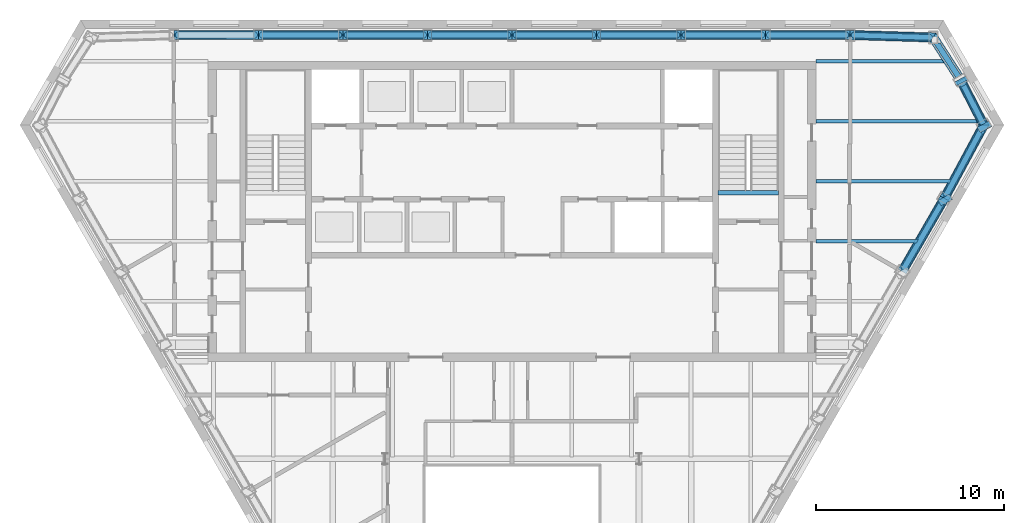
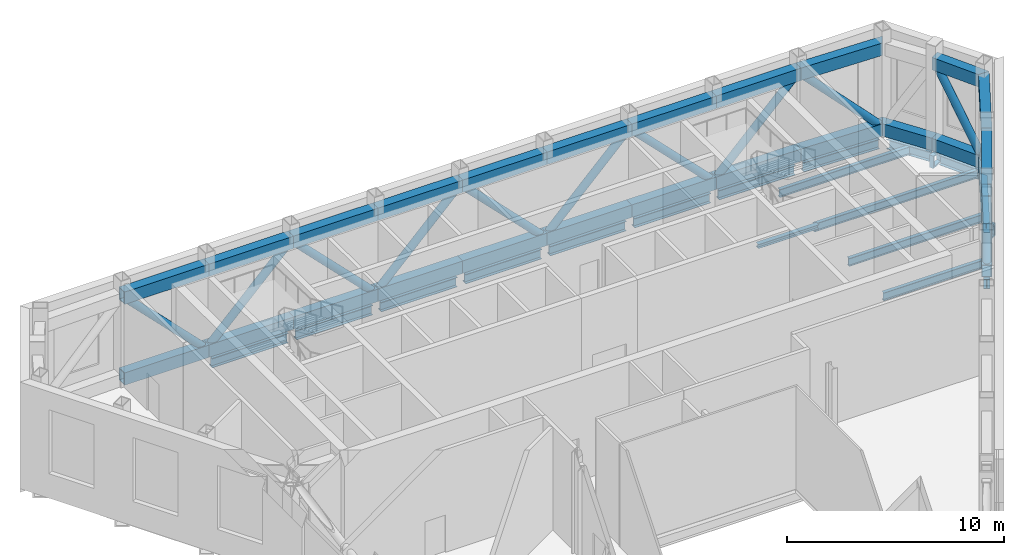
# One storey, part 5 of 14: 37 members, 20 beams.
"""IFC4 building model written with IfcOpenShell, lengths in metres."""

from ifc_helpers import new_model, si_unit, direction, frame, origin, origin_2d, place, context, subcontext, project, spatial, hollow_rectangle, hollow_circle, i_section, extrude, clip, halfspace, material, material_profile, profile_set, type_object, element, save


model = new_model("IFC4")

# Units and contexts
model_context = context("Model", 3, precision=1e-05, world=origin(), true_north=direction((0.0, 1.0)))
body_context = subcontext(model_context, "Body", "Model", "MODEL_VIEW")
ifc_project = project(units=[si_unit("LENGTHUNIT", "METRE"), si_unit("AREAUNIT", "SQUARE_METRE"), si_unit("VOLUMEUNIT", "CUBIC_METRE"), si_unit("PLANEANGLEUNIT", "RADIAN"), si_unit("MASSUNIT", "GRAM", prefix="KILO")], contexts=[model_context])

# Site, building, storey
site_placement = place(None, origin())
site = spatial("IfcSite", under=ifc_project, at=site_placement, CompositionType="ELEMENT")
building_placement = place(site_placement, origin())
building = spatial("IfcBuilding", under=site, at=building_placement, Name="Njiva Tower", CompositionType="ELEMENT")
storey_placement = place(building_placement, frame((0.0, 0.0, 239.4)))
storey = spatial("IfcBuildingStorey", under=building, at=storey_placement, Name="L54", CompositionType="ELEMENT", Elevation=239.4)

# Beams
ifc_material_1 = material(Name="Steel S355 J2", Category="steel")
ifc_material_profile_1 = material_profile(ifc_material_1, hollow_rectangle(XDim=0.7, YDim=0.7, WallThickness=0.08, at=origin_2d()), Name="BOX 700x700x80")
ifc_profile_set_1 = profile_set([ifc_material_profile_1], Name="Steel S355 J2")
beam_type_1 = type_object("IfcBeamType", Name="B19 Column jog beam BOX 700x700x80", PredefinedType="BEAM", material=ifc_profile_set_1)
beam_1_placement = place(storey_placement, frame((23.187, 10.46, -0.55), z_axis=(-0.487203149524, 0.873288664242, 0.0), x_axis=(-0.873288664242, -0.487203149524, 0.0)))
element("IfcBeam", 1, at=beam_1_placement, inside=storey, type_object=beam_type_1, Name="Column jog beam T4-B043", PredefinedType="BEAM", context=body_context, shape_type="SweptSolid", body=[
    extrude(hollow_rectangle(XDim=0.7, YDim=0.7, WallThickness=0.08, at=origin_2d()), origin(), (0.0, 0.0, 1.0), 0.3264),
])
beam_2_placement = place(storey_placement, frame((25.287, 14.362, -0.55), z_axis=(-0.480983596396, 0.876729593431, 0.0), x_axis=(-0.876729593431, -0.480983596396, 0.0)))
element("IfcBeam", 2, at=beam_2_placement, inside=storey, type_object=beam_type_1, Name="Column jog beam T4-B045", PredefinedType="BEAM", context=body_context, shape_type="SweptSolid", body=[
    extrude(hollow_rectangle(XDim=0.7, YDim=0.7, WallThickness=0.08, at=origin_2d()), origin(), (0.0, 0.0, 1.0), 0.3285),
])
beam_3_placement = place(storey_placement, frame((24.0, 16.854, -0.55), z_axis=(-0.463334503305, 0.886183467487, 0.0), x_axis=(-0.886183467487, -0.463334503305, 0.0)))
element("IfcBeam", 3, at=beam_3_placement, inside=storey, type_object=beam_type_1, Name="Column jog beam T4-B044", PredefinedType="BEAM", context=body_context, shape_type="SweptSolid", body=[
    extrude(hollow_rectangle(XDim=0.7, YDim=0.7, WallThickness=0.08, at=origin_2d()), origin(), (0.0, 0.0, 1.0), 0.2223),
])
ifc_material_profile_2 = material_profile(ifc_material_1, i_section(OverallWidth=0.19, OverallDepth=0.45, WebThickness=0.0094, FlangeThickness=0.0146, at=origin_2d()), Name="IPE 450")
ifc_profile_set_2 = profile_set([ifc_material_profile_2], Name="Steel S355 J2")
beam_type_2 = type_object("IfcBeamType", Name="B37 Floor beam to the core IPE 450", PredefinedType="BEAM", material=ifc_profile_set_2)
beam_4_placement = place(storey_placement, frame((16.2, 8.4, -0.425), z_axis=(1.0, 0.0, 0.0), x_axis=(0.0, 1.0, 0.0)))
element("IfcBeam", 4, at=beam_4_placement, inside=storey, type_object=beam_type_2, Name="Floor beam to the core T4-B007", PredefinedType="BEAM", context=body_context, shape_type="Clipping", body=[
    clip(extrude(i_section(OverallWidth=0.19, OverallDepth=0.45, WebThickness=0.0094, FlangeThickness=0.0146, at=origin_2d()), origin(), (0.0, 0.0, 1.0), 5.493), halfspace(frame((-0.025, 0.0, 5.4036), z_axis=(-0.499998009787, 0.0, 0.866026552831), x_axis=(0.0, 1.0, 0.0)), False)),
])
beam_5_placement = place(storey_placement, frame((16.2, 11.6, -0.425), z_axis=(1.0, 0.0, 0.0), x_axis=(0.0, 1.0, 0.0)))
element("IfcBeam", 5, at=beam_5_placement, inside=storey, type_object=beam_type_2, Name="Floor beam to the core T4-B008", PredefinedType="BEAM", context=body_context, shape_type="Clipping", body=[
    clip(extrude(i_section(OverallWidth=0.19, OverallDepth=0.45, WebThickness=0.0094, FlangeThickness=0.0146, at=origin_2d()), origin(), (0.0, 0.0, 1.0), 7.303), halfspace(frame((-0.0237, 0.0, 7.219), z_axis=(-0.473769423091, 0.0, 0.880648927634), x_axis=(0.0, 1.0, 0.0)), False)),
])
beam_6_placement = place(storey_placement, frame((16.2, 14.8, -0.425), z_axis=(1.0, 0.0, 0.0), x_axis=(0.0, 1.0, 0.0)))
element("IfcBeam", 6, at=beam_6_placement, inside=storey, type_object=beam_type_2, Name="Floor beam to the core T4-B009", PredefinedType="BEAM", context=body_context, shape_type="Clipping", body=[
    clip(extrude(i_section(OverallWidth=0.19, OverallDepth=0.45, WebThickness=0.0094, FlangeThickness=0.0146, at=origin_2d()), origin(), (0.0, 0.0, 1.0), 8.81), halfspace(frame((0.0228, 0.0, 8.7291), z_axis=(0.456688334689, 0.0, 0.889626755982), x_axis=(0.0, 1.0, 0.0)), False)),
])
beam_7_placement = place(storey_placement, frame((16.2, 18.0, -0.425), z_axis=(1.0, 0.0, 0.0), x_axis=(0.0, 1.0, 0.0)))
element("IfcBeam", 7, at=beam_7_placement, inside=storey, type_object=beam_type_2, Name="Floor beam to the core T4-B010", PredefinedType="BEAM", context=body_context, shape_type="Clipping", body=[
    clip(extrude(i_section(OverallWidth=0.19, OverallDepth=0.45, WebThickness=0.0094, FlangeThickness=0.0146, at=origin_2d()), origin(), (0.0, 0.0, 1.0), 7.041), halfspace(frame((0.0271, 0.0, 6.9421), z_axis=(0.542090197727, 0.0, 0.840320306507), x_axis=(0.0, 1.0, 0.0)), False)),
])
ifc_material_profile_3 = material_profile(ifc_material_1, i_section(OverallWidth=0.3, OverallDepth=0.54, WebThickness=0.0125, FlangeThickness=0.024, at=origin_2d()), Name="HEA 550")
ifc_profile_set_3 = profile_set([ifc_material_profile_3], Name="Steel S355 J2")
beam_type_3 = type_object("IfcBeamType", Name="B39 Short-span spandrel beam HEA 550", PredefinedType="SPANDREL", material=ifc_profile_set_3)
beam_8_placement = place(storey_placement, frame((22.227, 19.274, -0.47), z_axis=(-0.999551509544, 0.029946281379, 0.0), x_axis=(-0.029946281379, -0.999551509544, 0.0)))
element("IfcBeam", 8, at=beam_8_placement, inside=storey, type_object=beam_type_3, Name="Short-span spandrel beam T4-B100", PredefinedType="SPANDREL", context=body_context, shape_type="SweptSolid", body=[
    extrude(i_section(OverallWidth=0.3, OverallDepth=0.54, WebThickness=0.0125, FlangeThickness=0.024, at=origin_2d()), origin(), (0.0, 0.0, 1.0), 3.9738),
])
beam_9_placement = place(storey_placement, frame((17.801, 19.4, -0.47), z_axis=(-1.0, 0.0, 0.0), x_axis=(0.0, -1.0, 0.0)))
element("IfcBeam", 9, at=beam_9_placement, inside=storey, type_object=beam_type_3, Name="Short-span spandrel beam T4-B097", PredefinedType="SPANDREL", context=body_context, shape_type="SweptSolid", body=[
    extrude(i_section(OverallWidth=0.3, OverallDepth=0.54, WebThickness=0.0125, FlangeThickness=0.024, at=origin_2d()), origin(), (0.0, 0.0, 1.0), 4.056),
])
beam_10_placement = place(storey_placement, frame((13.295, 19.4, -0.47), z_axis=(-1.0, 0.0, 0.0), x_axis=(0.0, -1.0, 0.0)))
element("IfcBeam", 10, at=beam_10_placement, inside=storey, type_object=beam_type_3, Name="Short-span spandrel beam T4-B094", PredefinedType="SPANDREL", context=body_context, shape_type="SweptSolid", body=[
    extrude(i_section(OverallWidth=0.3, OverallDepth=0.54, WebThickness=0.0125, FlangeThickness=0.024, at=origin_2d()), origin(), (0.0, 0.0, 1.0), 4.057),
])
beam_11_placement = place(storey_placement, frame((8.788, 19.4, -0.47), z_axis=(-1.0, 0.0, 0.0), x_axis=(0.0, -1.0, 0.0)))
element("IfcBeam", 11, at=beam_11_placement, inside=storey, type_object=beam_type_3, Name="Short-span spandrel beam T4-B091", PredefinedType="SPANDREL", context=body_context, shape_type="SweptSolid", body=[
    extrude(i_section(OverallWidth=0.3, OverallDepth=0.54, WebThickness=0.0125, FlangeThickness=0.024, at=origin_2d()), origin(), (0.0, 0.0, 1.0), 4.056),
])
for number, where, z_axis, x_axis, name in (
    (12, (4.282, 19.4, -0.47), (-1.0, 0.0, 0.0), (0.0, -1.0, 0.0), "Short-span spandrel beam T4-B088"),
    (13, (-0.225, 19.4, -0.47), (-1.0, 0.0, 0.0), (0.0, -1.0, 0.0), "Short-span spandrel beam T4-B086"),
):
    element("IfcBeam", number, at=place(storey_placement, frame(where, z_axis=z_axis, x_axis=x_axis)), inside=storey, type_object=beam_type_3, Name=name, PredefinedType="SPANDREL", context=body_context, shape_type="SweptSolid", body=[
        extrude(i_section(OverallWidth=0.3, OverallDepth=0.54, WebThickness=0.0125, FlangeThickness=0.024, at=origin_2d()), origin(), (0.0, 0.0, 1.0), 4.057),
    ])
beam_12_placement = place(storey_placement, frame((-4.732, 19.4, -0.47), z_axis=(-1.0, 0.0, 0.0), x_axis=(0.0, -1.0, 0.0)))
element("IfcBeam", 14, at=beam_12_placement, inside=storey, type_object=beam_type_3, Name="Short-span spandrel beam T4-B083", PredefinedType="SPANDREL", context=body_context, shape_type="SweptSolid", body=[
    extrude(i_section(OverallWidth=0.3, OverallDepth=0.54, WebThickness=0.0125, FlangeThickness=0.024, at=origin_2d()), origin(), (0.0, 0.0, 1.0), 4.056),
])
beam_13_placement = place(storey_placement, frame((-9.238, 19.4, -0.47), z_axis=(-1.0, 0.0, 0.0), x_axis=(0.0, -1.0, 0.0)))
element("IfcBeam", 15, at=beam_13_placement, inside=storey, type_object=beam_type_3, Name="Short-span spandrel beam T4-B080", PredefinedType="SPANDREL", context=body_context, shape_type="SweptSolid", body=[
    extrude(i_section(OverallWidth=0.3, OverallDepth=0.54, WebThickness=0.0125, FlangeThickness=0.024, at=origin_2d()), origin(), (0.0, 0.0, 1.0), 4.057),
])
beam_14_placement = place(storey_placement, frame((20.863, 6.893, -0.47), z_axis=(0.500142068684, 0.865943364853, 0.0), x_axis=(-0.865943364853, 0.500142068684, 0.0)))
element("IfcBeam", 16, at=beam_14_placement, inside=storey, type_object=beam_type_3, Name="Short-span spandrel beam T4-B102", PredefinedType="SPANDREL", context=body_context, shape_type="SweptSolid", body=[
    extrude(i_section(OverallWidth=0.3, OverallDepth=0.54, WebThickness=0.0125, FlangeThickness=0.024, at=origin_2d()), origin(), (0.0, 0.0, 1.0), 4.0568),
])
beam_15_placement = place(storey_placement, frame((23.115, 10.801, -0.47), z_axis=(0.473828255031, 0.880617274833, 0.0), x_axis=(-0.880617274833, 0.473828255031, 0.0)))
element("IfcBeam", 17, at=beam_15_placement, inside=storey, type_object=beam_type_3, Name="Short-span spandrel beam T4-B104", PredefinedType="SPANDREL", context=body_context, shape_type="Clipping", body=[
    clip(extrude(i_section(OverallWidth=0.3, OverallDepth=0.54, WebThickness=0.0125, FlangeThickness=0.024, at=origin_2d()), origin(), (0.0, 0.0, 1.0), 4.0659), halfspace(frame((-0.0264, 0.0, 3.9369), z_axis=(-0.525724758391, 0.0, 0.850654735139), x_axis=(0.0, 1.0, 0.0)), False)),
])
beam_16_placement = place(storey_placement, frame((25.147, 14.618, -0.47), z_axis=(-0.456585435452, 0.889679571606, 0.0), x_axis=(-0.889679571606, -0.456585435452, 0.0)))
element("IfcBeam", 18, at=beam_16_placement, inside=storey, type_object=beam_type_3, Name="Short-span spandrel beam T4-B105", PredefinedType="SPANDREL", context=body_context, shape_type="SweptSolid", body=[
    extrude(i_section(OverallWidth=0.3, OverallDepth=0.54, WebThickness=0.0125, FlangeThickness=0.024, at=origin_2d()), origin(), (0.0, 0.0, 1.0), 2.3413),
])
beam_17_placement = place(storey_placement, frame((23.855, 17.107, -0.47), z_axis=(-0.542126869822, 0.840296648224, 0.0), x_axis=(-0.840296648224, -0.542126869822, 0.0)))
element("IfcBeam", 19, at=beam_17_placement, inside=storey, type_object=beam_type_3, Name="Short-span spandrel beam T4-B103", PredefinedType="SPANDREL", context=body_context, shape_type="Clipping", body=[
    clip(extrude(i_section(OverallWidth=0.3, OverallDepth=0.54, WebThickness=0.0125, FlangeThickness=0.024, at=origin_2d()), origin(), (0.0, 0.0, 1.0), 2.3305), halfspace(frame((-0.0269, 0.0, 2.1962), z_axis=(-0.542126869822, 0.0, 0.840296648224), x_axis=(0.0, 1.0, 0.0)), False)),
])
ifc_material_profile_4 = material_profile(ifc_material_1, i_section(OverallWidth=0.24, OverallDepth=0.23, WebThickness=0.0075, FlangeThickness=0.012, at=origin_2d()), Name="HEA240")
ifc_profile_set_4 = profile_set([ifc_material_profile_4], Name="Steel S355 J2")
beam_type_4 = type_object("IfcBeamType", Name="FL8 Landing beam HEA 240", PredefinedType="BEAM", material=ifc_profile_set_4)
beam_18_placement = place(storey_placement, frame((10.994, 10.98, 2.685), z_axis=(1.0, 0.0, 0.0), x_axis=(0.0, 1.0, 0.0)))
element("IfcBeam", 20, at=beam_18_placement, inside=storey, type_object=beam_type_4, Name="Landing beam", PredefinedType="BEAM", context=body_context, shape_type="SweptSolid", body=[
    extrude(i_section(OverallWidth=0.24, OverallDepth=0.23, WebThickness=0.0075, FlangeThickness=0.012, at=origin_2d()), origin(), (0.0, 0.0, 1.0), 3.212),
])

# Members
ifc_material_profile_5 = material_profile(ifc_material_1, hollow_rectangle(XDim=0.5, YDim=0.7, WallThickness=0.04, at=origin_2d()), Name="BOX 700x500x40")
ifc_profile_set_5 = profile_set([ifc_material_profile_5], Name="Steel S355 J2")
member_type_1 = type_object("IfcMemberType", Name="TC2 Belt truss chord BOX 700x500x40", PredefinedType="CHORD", material=ifc_profile_set_5)
member_1_placement = place(storey_placement, frame((22.6219, 19.2622, 0.35), z_axis=(-0.999549830104, 0.03000228558, 0.0), x_axis=(-0.03000228558, -0.999549830104, 0.0)))
element("IfcMember", 21, at=member_1_placement, inside=storey, type_object=member_type_1, Name="Belt truss chord T4-TR001", PredefinedType="CHORD", context=body_context, shape_type="Clipping", body=[
    clip(clip(extrude(hollow_rectangle(XDim=0.5, YDim=0.7, WallThickness=0.04, at=origin_2d()), origin(), (0.0, 0.0, 1.0), 4.628), halfspace(frame((0.0, -239.75, 0.161), z_axis=(0.46523279554, 0.0, -0.885188367498), x_axis=(0.0, -1.0, 0.0)), False)), halfspace(frame((0.0, -239.75, 4.594), z_axis=(0.015005700272, 0.0, 0.999887408141), x_axis=(0.0, 1.0, 0.0)), False)),
])
member_2_placement = place(storey_placement, frame((22.6219, 19.2622, 4.91), z_axis=(-0.999549830104, 0.03000228558, 0.0), x_axis=(-0.03000228558, -0.999549830104, 0.0)))
element("IfcMember", 22, at=member_2_placement, inside=storey, type_object=member_type_1, Name="Belt truss chord T4-TR002", PredefinedType="CHORD", context=body_context, shape_type="Clipping", body=[
    clip(clip(extrude(hollow_rectangle(XDim=0.5, YDim=0.7, WallThickness=0.04, at=origin_2d()), origin(), (0.0, 0.0, 1.0), 4.628), halfspace(frame((0.0, -244.31, 0.161), z_axis=(0.46523279554, 0.0, -0.885188367498), x_axis=(0.0, -1.0, 0.0)), False)), halfspace(frame((0.0, -244.31, 4.594), z_axis=(0.015005700272, 0.0, 0.999887408141), x_axis=(0.0, 1.0, 0.0)), False)),
])
member_3_placement = place(storey_placement, frame((18.064, 19.4, 0.35), z_axis=(-1.0, 0.0, 0.0), x_axis=(0.0, -1.0, 0.0)))
element("IfcMember", 23, at=member_3_placement, inside=storey, type_object=member_type_1, Name="Belt truss chord T4-TR004", PredefinedType="CHORD", context=body_context, shape_type="Clipping", body=[
    clip(extrude(hollow_rectangle(XDim=0.5, YDim=0.7, WallThickness=0.04, at=origin_2d()), origin(), (0.0, 0.0, 1.0), 4.541), halfspace(frame((0.0, -239.75, 0.034), z_axis=(0.014999962409, 0.0, -0.999887494235), x_axis=(0.0, -1.0, 0.0)), False)),
])
member_4_placement = place(storey_placement, frame((18.064, 19.4, 4.91), z_axis=(-1.0, 0.0, 0.0), x_axis=(0.0, -1.0, 0.0)))
element("IfcMember", 24, at=member_4_placement, inside=storey, type_object=member_type_1, Name="Belt truss chord T4-TR005", PredefinedType="CHORD", context=body_context, shape_type="Clipping", body=[
    clip(extrude(hollow_rectangle(XDim=0.5, YDim=0.7, WallThickness=0.04, at=origin_2d()), origin(), (0.0, 0.0, 1.0), 4.541), halfspace(frame((0.0, -244.31, 0.034), z_axis=(0.014999962409, 0.0, -0.999887494235), x_axis=(0.0, -1.0, 0.0)), False)),
])
for number, where, z_axis, x_axis, name in (
    (25, (13.523, 19.4, 0.35), (-1.0, 0.0, 0.0), (0.0, -1.0, 0.0), "Belt truss chord T4-TR007"),
    (26, (13.523, 19.4, 4.91), (-1.0, 0.0, 0.0), (0.0, -1.0, 0.0), "Belt truss chord T4-TR008"),
):
    element("IfcMember", number, at=place(storey_placement, frame(where, z_axis=z_axis, x_axis=x_axis)), inside=storey, type_object=member_type_1, Name=name, PredefinedType="CHORD", context=body_context, shape_type="SweptSolid", body=[
        extrude(hollow_rectangle(XDim=0.5, YDim=0.7, WallThickness=0.04, at=origin_2d()), origin(), (0.0, 0.0, 1.0), 4.508),
    ])
for number, where, z_axis, x_axis, name in (
    (27, (9.015, 19.4, 0.35), (-1.0, 0.0, 0.0), (0.0, -1.0, 0.0), "Belt truss chord T4-TR010"),
    (28, (9.015, 19.4, 4.91), (-1.0, 0.0, 0.0), (0.0, -1.0, 0.0), "Belt truss chord T4-TR011"),
):
    element("IfcMember", number, at=place(storey_placement, frame(where, z_axis=z_axis, x_axis=x_axis)), inside=storey, type_object=member_type_1, Name=name, PredefinedType="CHORD", context=body_context, shape_type="SweptSolid", body=[
        extrude(hollow_rectangle(XDim=0.5, YDim=0.7, WallThickness=0.04, at=origin_2d()), origin(), (0.0, 0.0, 1.0), 4.507),
    ])
for number, where, z_axis, x_axis, name in (
    (29, (4.508, 19.4, 0.35), (-1.0, 0.0, 0.0), (0.0, -1.0, 0.0), "Belt truss chord T4-TR013"),
    (30, (4.508, 19.4, 4.91), (-1.0, 0.0, 0.0), (0.0, -1.0, 0.0), "Belt truss chord T4-TR014"),
    (31, (0.0, 19.4, 0.35), (-1.0, 0.0, 0.0), (0.0, -1.0, 0.0), "Belt truss chord T4-TR016"),
    (32, (0.0, 19.4, 4.91), (-1.0, 0.0, 0.0), (0.0, -1.0, 0.0), "Belt truss chord T4-TR017"),
):
    element("IfcMember", number, at=place(storey_placement, frame(where, z_axis=z_axis, x_axis=x_axis)), inside=storey, type_object=member_type_1, Name=name, PredefinedType="CHORD", context=body_context, shape_type="SweptSolid", body=[
        extrude(hollow_rectangle(XDim=0.5, YDim=0.7, WallThickness=0.04, at=origin_2d()), origin(), (0.0, 0.0, 1.0), 4.508),
    ])
for number, where, z_axis, x_axis, name in (
    (33, (-4.508, 19.4, 0.35), (-1.0, 0.0, 0.0), (0.0, -1.0, 0.0), "Belt truss chord T4-TR019"),
    (34, (-4.508, 19.4, 4.91), (-1.0, 0.0, 0.0), (0.0, -1.0, 0.0), "Belt truss chord T4-TR020"),
):
    element("IfcMember", number, at=place(storey_placement, frame(where, z_axis=z_axis, x_axis=x_axis)), inside=storey, type_object=member_type_1, Name=name, PredefinedType="CHORD", context=body_context, shape_type="SweptSolid", body=[
        extrude(hollow_rectangle(XDim=0.5, YDim=0.7, WallThickness=0.04, at=origin_2d()), origin(), (0.0, 0.0, 1.0), 4.507),
    ])
for number, where, z_axis, x_axis, name in (
    (35, (-9.015, 19.4, 0.35), (-1.0, 0.0, 0.0), (0.0, -1.0, 0.0), "Belt truss chord T4-TR022"),
    (36, (-9.015, 19.4, 4.91), (-1.0, 0.0, 0.0), (0.0, -1.0, 0.0), "Belt truss chord T4-TR023"),
):
    element("IfcMember", number, at=place(storey_placement, frame(where, z_axis=z_axis, x_axis=x_axis)), inside=storey, type_object=member_type_1, Name=name, PredefinedType="CHORD", context=body_context, shape_type="SweptSolid", body=[
        extrude(hollow_rectangle(XDim=0.5, YDim=0.7, WallThickness=0.04, at=origin_2d()), origin(), (0.0, 0.0, 1.0), 4.508),
    ])
member_5_placement = place(storey_placement, frame((-13.523, 19.4, 0.35), z_axis=(-1.0, 0.0, 0.0), x_axis=(0.0, -1.0, 0.0)))
element("IfcMember", 37, at=member_5_placement, inside=storey, type_object=member_type_1, Name="Belt truss chord T4-TR025", PredefinedType="CHORD", context=body_context, shape_type="Clipping", body=[
    clip(extrude(hollow_rectangle(XDim=0.5, YDim=0.7, WallThickness=0.04, at=origin_2d()), origin(), (0.0, 0.0, 1.0), 4.541), halfspace(frame((0.0, -239.75, 4.507), z_axis=(0.014999962409, 0.0, 0.999887494235), x_axis=(0.0, 1.0, 0.0)), False)),
])
member_6_placement = place(storey_placement, frame((-13.523, 19.4, 4.91), z_axis=(-1.0, 0.0, 0.0), x_axis=(0.0, -1.0, 0.0)))
element("IfcMember", 38, at=member_6_placement, inside=storey, type_object=member_type_1, Name="Belt truss chord T4-TR026", PredefinedType="CHORD", context=body_context, shape_type="Clipping", body=[
    clip(extrude(hollow_rectangle(XDim=0.5, YDim=0.7, WallThickness=0.04, at=origin_2d()), origin(), (0.0, 0.0, 1.0), 4.541), halfspace(frame((0.0, -244.31, 4.507), z_axis=(0.014999962409, 0.0, 0.999887494235), x_axis=(0.0, 1.0, 0.0)), False)),
])
member_7_placement = place(storey_placement, frame((20.804, 6.789, 0.35), z_axis=(0.499837685251, 0.86611909597, 0.0), x_axis=(-0.86611909597, 0.499837685251, 0.0)))
element("IfcMember", 39, at=member_7_placement, inside=storey, type_object=member_type_1, Name="Belt truss chord T4-TR097", PredefinedType="CHORD", context=body_context, shape_type="Clipping", body=[
    clip(extrude(hollow_rectangle(XDim=0.5, YDim=0.7, WallThickness=0.04, at=origin_2d()), origin(), (0.0, 0.0, 1.0), 4.5415), halfspace(frame((0.0, -239.75, 4.5075), z_axis=(0.014852471498, 0.0, 0.999889695962), x_axis=(0.0, 1.0, 0.0)), False)),
])
member_8_placement = place(storey_placement, frame((20.804, 6.789, 4.91), z_axis=(0.499837685251, 0.86611909597, 0.0), x_axis=(-0.86611909597, 0.499837685251, 0.0)))
element("IfcMember", 40, at=member_8_placement, inside=storey, type_object=member_type_1, Name="Belt truss chord T4-TR098", PredefinedType="CHORD", context=body_context, shape_type="Clipping", body=[
    clip(extrude(hollow_rectangle(XDim=0.5, YDim=0.7, WallThickness=0.04, at=origin_2d()), origin(), (0.0, 0.0, 1.0), 4.5415), halfspace(frame((0.0, -244.31, 4.5075), z_axis=(0.014852471498, 0.0, 0.999889695962), x_axis=(0.0, 1.0, 0.0)), False)),
])
member_9_placement = place(storey_placement, frame((23.0409, 10.6631, 0.35), z_axis=(0.473898049697, 0.880579717285, 0.0), x_axis=(-0.880579717285, 0.473898049697, 0.0)))
element("IfcMember", 41, at=member_9_placement, inside=storey, type_object=member_type_1, Name="Belt truss chord T4-TR100", PredefinedType="CHORD", context=body_context, shape_type="Clipping", body=[
    clip(clip(extrude(hollow_rectangle(XDim=0.5, YDim=0.7, WallThickness=0.04, at=origin_2d()), origin(), (0.0, 0.0, 1.0), 4.6284), halfspace(frame((0.0, -239.75, 0.034), z_axis=(0.014845579979, 0.0, -0.999889798305), x_axis=(0.0, -1.0, 0.0)), False)), halfspace(frame((0.0, -239.75, 4.4674), z_axis=(0.465378360263, 0.0, 0.885111847056), x_axis=(0.0, 1.0, 0.0)), False)),
])
member_10_placement = place(storey_placement, frame((23.0409, 10.6631, 4.91), z_axis=(0.473898049697, 0.880579717285, 0.0), x_axis=(-0.880579717285, 0.473898049697, 0.0)))
element("IfcMember", 42, at=member_10_placement, inside=storey, type_object=member_type_1, Name="Belt truss chord T4-TR101", PredefinedType="CHORD", context=body_context, shape_type="Clipping", body=[
    clip(clip(extrude(hollow_rectangle(XDim=0.5, YDim=0.7, WallThickness=0.04, at=origin_2d()), origin(), (0.0, 0.0, 1.0), 4.6284), halfspace(frame((0.0, -244.31, 0.034), z_axis=(0.014845579979, 0.0, -0.999889798305), x_axis=(0.0, -1.0, 0.0)), False)), halfspace(frame((0.0, -244.31, 4.4674), z_axis=(0.465378360263, 0.0, 0.885111847056), x_axis=(0.0, 1.0, 0.0)), False)),
])
member_11_placement = place(storey_placement, frame((25.2315, 14.4538, 0.35), z_axis=(-0.45682053269, 0.889558879958, 0.0), x_axis=(-0.889558879958, -0.45682053269, 0.0)))
element("IfcMember", 43, at=member_11_placement, inside=storey, type_object=member_type_1, Name="Belt truss chord T4-TR103", PredefinedType="CHORD", context=body_context, shape_type="Clipping", body=[
    clip(clip(extrude(hollow_rectangle(XDim=0.5, YDim=0.7, WallThickness=0.04, at=origin_2d()), origin(), (0.0, 0.0, 1.0), 2.9021), halfspace(frame((0.0, -239.75, 0.161), z_axis=(0.465383534614, 0.0, -0.885109126442), x_axis=(0.0, -1.0, 0.0)), False)), halfspace(frame((0.0, -239.75, 2.8601), z_axis=(0.049275419369, 0.0, 0.998785228688), x_axis=(0.0, 1.0, 0.0)), False)),
])
member_12_placement = place(storey_placement, frame((25.2315, 14.4538, 4.91), z_axis=(-0.45682053269, 0.889558879958, 0.0), x_axis=(-0.889558879958, -0.45682053269, 0.0)))
element("IfcMember", 44, at=member_12_placement, inside=storey, type_object=member_type_1, Name="Belt truss chord T4-TR104", PredefinedType="CHORD", context=body_context, shape_type="Clipping", body=[
    clip(clip(extrude(hollow_rectangle(XDim=0.5, YDim=0.7, WallThickness=0.04, at=origin_2d()), origin(), (0.0, 0.0, 1.0), 2.9021), halfspace(frame((0.0, -244.31, 0.161), z_axis=(0.465383534614, 0.0, -0.885109126442), x_axis=(0.0, -1.0, 0.0)), False)), halfspace(frame((0.0, -244.31, 2.8601), z_axis=(0.049275419369, 0.0, 0.998785228688), x_axis=(0.0, 1.0, 0.0)), False)),
])
member_13_placement = place(storey_placement, frame((23.9478, 16.9627, 0.35), z_axis=(-0.542160609802, 0.840274879536, 0.0), x_axis=(-0.840274879536, -0.542160609802, 0.0)))
element("IfcMember", 45, at=member_13_placement, inside=storey, type_object=member_type_1, Name="Belt truss chord T4-TR106", PredefinedType="CHORD", context=body_context, shape_type="Clipping", body=[
    clip(clip(extrude(hollow_rectangle(XDim=0.5, YDim=0.7, WallThickness=0.04, at=origin_2d()), origin(), (0.0, 0.0, 1.0), 2.9033), halfspace(frame((0.0, -239.75, 0.042), z_axis=(0.049273256214, 0.0, -0.998785335406), x_axis=(0.0, -1.0, 0.0)), False)), halfspace(frame((0.0, -239.75, 2.7423), z_axis=(0.465222241167, 0.0, 0.885193914531), x_axis=(0.0, 1.0, 0.0)), False)),
])
ifc_material_2 = material(Name="Steel S355 J2H", Category="steel")
ifc_material_profile_6 = material_profile(ifc_material_2, hollow_circle(Radius=0.2032, WallThickness=0.016, at=origin_2d()), Name="CHS 406.4x16")
ifc_profile_set_6 = profile_set([ifc_material_profile_6], Name="Steel S355 J2H")
member_type_2 = type_object("IfcMemberType", Name="TD2 Belt truss diagonal CHS 406.4x16", PredefinedType="BRACE", material=ifc_profile_set_6)
member_14_placement = place(storey_placement, frame((22.6206, 19.2622, 0.1858), z_axis=(-0.696737300788, 0.020913125932, 0.717021460526), x_axis=(-0.03000228558, -0.999549830104, 0.0)))
element("IfcMember", 46, at=member_14_placement, inside=storey, type_object=member_type_2, Name="Belt truss diagonal T4-TR003", PredefinedType="BRACE", context=body_context, shape_type="Clipping", body=[
    clip(clip(extrude(hollow_circle(Radius=0.2032, WallThickness=0.016, at=origin_2d()), origin(), (0.0, 0.0, 1.0), 6.8176), halfspace(frame((19.9322, -15.4463, 15.7193), z_axis=(0.0, -0.697051092206, -0.717021460526), x_axis=(0.0, -0.717021460526, 0.697051092206)), False)), halfspace(frame((19.9322, -12.7417, 18.5013), z_axis=(0.0, 0.697051092206, 0.717021460526), x_axis=(0.0, 0.717021460526, -0.697051092206)), False)),
])
member_15_placement = place(storey_placement, frame((18.1938, 19.4, 5.0757), z_axis=(-0.702961468637, 0.0, -0.711227933655), x_axis=(0.0, -1.0, 0.0)))
element("IfcMember", 47, at=member_15_placement, inside=storey, type_object=member_type_2, Name="Belt truss diagonal T4-TR006", PredefinedType="BRACE", context=body_context, shape_type="Clipping", body=[
    clip(clip(extrude(hollow_circle(Radius=0.2032, WallThickness=0.016, at=origin_2d()), origin(), (0.0, 0.0, 1.0), 6.8774), halfspace(frame((19.4, 12.5844, 13.1492), z_axis=(0.0, 0.702961468637, -0.711227933655), x_axis=(0.0, -0.711227933655, -0.702961468637)), False)), halfspace(frame((19.4, 9.8569, 15.9088), z_axis=(0.0, -0.702961468637, 0.711227933655), x_axis=(0.0, 0.711227933655, 0.702961468637)), False)),
])
member_16_placement = place(storey_placement, frame((13.6868, 19.4, 0.1843), z_axis=(-0.70304035286, 0.0, 0.71114995764), x_axis=(0.0, -1.0, 0.0)))
element("IfcMember", 48, at=member_16_placement, inside=storey, type_object=member_type_2, Name="Belt truss diagonal T4-TR009", PredefinedType="BRACE", context=body_context, shape_type="Clipping", body=[
    clip(clip(extrude(hollow_circle(Radius=0.2032, WallThickness=0.016, at=origin_2d()), origin(), (0.0, 0.0, 1.0), 6.8781), halfspace(frame((19.4, -9.3778, 9.982), z_axis=(0.0, -0.70304035286, -0.71114995764), x_axis=(0.0, -0.71114995764, 0.70304035286)), False)), halfspace(frame((19.4, -6.6501, 12.7413), z_axis=(0.0, 0.70304035286, 0.71114995764), x_axis=(0.0, 0.71114995764, -0.70304035286)), False)),
])
member_17_placement = place(storey_placement, frame((9.1788, 19.4, 5.0757), z_axis=(-0.702961468637, 0.0, -0.711227933655), x_axis=(0.0, -1.0, 0.0)))
element("IfcMember", 49, at=member_17_placement, inside=storey, type_object=member_type_2, Name="Belt truss diagonal T4-TR012", PredefinedType="BRACE", context=body_context, shape_type="Clipping", body=[
    clip(clip(extrude(hollow_circle(Radius=0.2032, WallThickness=0.016, at=origin_2d()), origin(), (0.0, 0.0, 1.0), 6.8774), halfspace(frame((19.4, 6.1727, 6.812), z_axis=(0.0, 0.702961468637, -0.711227933655), x_axis=(0.0, -0.711227933655, -0.702961468637)), False)), halfspace(frame((19.4, 3.4452, 9.5716), z_axis=(0.0, -0.702961468637, 0.711227933655), x_axis=(0.0, 0.711227933655, 0.702961468637)), False)),
])
member_18_placement = place(storey_placement, frame((4.6718, 19.4, 0.1843), z_axis=(-0.70304035286, 0.0, 0.71114995764), x_axis=(0.0, -1.0, 0.0)))
element("IfcMember", 50, at=member_18_placement, inside=storey, type_object=member_type_2, Name="Belt truss diagonal T4-TR015", PredefinedType="BRACE", context=body_context, shape_type="Clipping", body=[
    clip(clip(extrude(hollow_circle(Radius=0.2032, WallThickness=0.016, at=origin_2d()), origin(), (0.0, 0.0, 1.0), 6.8781), halfspace(frame((19.4, -2.9668, 3.6441), z_axis=(0.0, -0.70304035286, -0.71114995764), x_axis=(0.0, -0.71114995764, 0.70304035286)), False)), halfspace(frame((19.4, -0.239, 6.4034), z_axis=(0.0, 0.70304035286, 0.71114995764), x_axis=(0.0, 0.71114995764, -0.70304035286)), False)),
])
member_19_placement = place(storey_placement, frame((0.1638, 19.4, 5.0757), z_axis=(-0.70304035286, 0.0, -0.71114995764), x_axis=(0.0, -1.0, 0.0)))
element("IfcMember", 51, at=member_19_placement, inside=storey, type_object=member_type_2, Name="Belt truss diagonal T4-TR018", PredefinedType="BRACE", context=body_context, shape_type="Clipping", body=[
    clip(clip(extrude(hollow_circle(Radius=0.2032, WallThickness=0.016, at=origin_2d()), origin(), (0.0, 0.0, 1.0), 6.8781), halfspace(frame((19.4, -0.239, 0.4748), z_axis=(0.0, 0.70304035286, -0.71114995764), x_axis=(0.0, -0.71114995764, -0.70304035286)), False)), halfspace(frame((19.4, -2.9668, 3.2341), z_axis=(0.0, -0.70304035286, 0.71114995764), x_axis=(0.0, 0.71114995764, 0.70304035286)), False)),
])
member_20_placement = place(storey_placement, frame((-4.3442, 19.4, 0.1843), z_axis=(-0.702961468637, 0.0, 0.711227933655), x_axis=(0.0, -1.0, 0.0)))
element("IfcMember", 52, at=member_20_placement, inside=storey, type_object=member_type_2, Name="Belt truss diagonal T4-TR021", PredefinedType="BRACE", context=body_context, shape_type="Clipping", body=[
    clip(clip(extrude(hollow_circle(Radius=0.2032, WallThickness=0.016, at=origin_2d()), origin(), (0.0, 0.0, 1.0), 6.8774), halfspace(frame((19.4, 3.4452, -2.6941), z_axis=(0.0, -0.702961468637, -0.711227933655), x_axis=(0.0, -0.711227933655, 0.702961468637)), False)), halfspace(frame((19.4, 6.1727, 0.0654), z_axis=(0.0, 0.702961468637, 0.711227933655), x_axis=(0.0, 0.711227933655, -0.702961468637)), False)),
])
member_21_placement = place(storey_placement, frame((-8.8512, 19.4, 5.0757), z_axis=(-0.70304035286, 0.0, -0.71114995764), x_axis=(0.0, -1.0, 0.0)))
element("IfcMember", 53, at=member_21_placement, inside=storey, type_object=member_type_2, Name="Belt truss diagonal T4-TR024", PredefinedType="BRACE", context=body_context, shape_type="Clipping", body=[
    clip(clip(extrude(hollow_circle(Radius=0.2032, WallThickness=0.016, at=origin_2d()), origin(), (0.0, 0.0, 1.0), 6.8781), halfspace(frame((19.4, -6.6501, -5.8631), z_axis=(0.0, 0.70304035286, -0.71114995764), x_axis=(0.0, -0.71114995764, -0.70304035286)), False)), halfspace(frame((19.4, -9.3778, -3.1039), z_axis=(0.0, -0.70304035286, 0.71114995764), x_axis=(0.0, 0.71114995764, 0.70304035286)), False)),
])
member_22_placement = place(storey_placement, frame((-13.3592, 19.4, 0.1843), z_axis=(-0.702961468637, 0.0, 0.711227933655), x_axis=(0.0, -1.0, 0.0)))
element("IfcMember", 54, at=member_22_placement, inside=storey, type_object=member_type_2, Name="Belt truss diagonal T4-TR027", PredefinedType="BRACE", context=body_context, shape_type="Clipping", body=[
    clip(clip(extrude(hollow_circle(Radius=0.2032, WallThickness=0.016, at=origin_2d()), origin(), (0.0, 0.0, 1.0), 6.8774), halfspace(frame((19.4, 9.8569, -9.0313), z_axis=(0.0, -0.702961468637, -0.711227933655), x_axis=(0.0, -0.711227933655, 0.702961468637)), False)), halfspace(frame((19.4, 12.5844, -6.2718), z_axis=(0.0, 0.702961468637, 0.711227933655), x_axis=(0.0, 0.711227933655, -0.702961468637)), False)),
])
member_23_placement = place(storey_placement, frame((20.7221, 6.6471, 0.1843), z_axis=(0.351384900761, 0.60888000558, 0.711191809797), x_axis=(-0.86611909597, 0.499837685251, 0.0)))
element("IfcMember", 55, at=member_23_placement, inside=storey, type_object=member_type_2, Name="Belt truss diagonal T4-TR099", PredefinedType="BRACE", context=body_context, shape_type="Clipping", body=[
    clip(clip(extrude(hollow_circle(Radius=0.2032, WallThickness=0.016, at=origin_2d()), origin(), (0.0, 0.0, 1.0), 6.8778), halfspace(frame((14.6253, 11.8163, -10.9691), z_axis=(0.0, -0.702998015416, -0.711191809797), x_axis=(0.0, -0.711191809797, 0.702998015416)), False)), halfspace(frame((14.6253, 14.5439, -8.2097), z_axis=(0.0, 0.702998015416, 0.711191809797), x_axis=(0.0, 0.711191809797, -0.702998015416)), False)),
])
member_24_placement = place(storey_placement, frame((22.9814, 10.5524, 5.0742), z_axis=(0.330348292613, 0.613840901647, -0.716986299055), x_axis=(-0.880579717285, 0.473898049697, 0.0)))
element("IfcMember", 56, at=member_24_placement, inside=storey, type_object=member_type_2, Name="Belt truss diagonal T4-TR102", PredefinedType="BRACE", context=body_context, shape_type="Clipping", body=[
    clip(clip(extrude(hollow_circle(Radius=0.2032, WallThickness=0.016, at=origin_2d()), origin(), (0.0, 0.0, 1.0), 6.818), halfspace(frame((15.2361, -14.8225, -13.7079), z_axis=(0.0, 0.69708725922, -0.716986299055), x_axis=(0.0, -0.716986299055, -0.69708725922)), False)), halfspace(frame((15.2361, -17.5271, -10.926), z_axis=(0.0, -0.69708725922, 0.716986299055), x_axis=(0.0, 0.716986299055, 0.69708725922)), False)),
])
member_25_placement = place(storey_placement, frame((25.1931, 14.5286, 0.2201), z_axis=(-0.232688358318, 0.453110095962, 0.860550619569), x_axis=(-0.889558879958, -0.45682053269, 0.0)))
element("IfcMember", 57, at=member_25_placement, inside=storey, type_object=member_type_2, Name="Belt truss diagonal T4-TR105", PredefinedType="BRACE", context=body_context, shape_type="Clipping", body=[
    clip(clip(extrude(hollow_circle(Radius=0.2032, WallThickness=0.016, at=origin_2d()), origin(), (0.0, 0.0, 1.0), 5.6009), halfspace(frame((29.0477, 1.4573, -0.3165), z_axis=(0.0, -0.509364929259, -0.860550619569), x_axis=(0.0, -0.860550619569, 0.509364929259)), False)), halfspace(frame((29.0477, 3.4336, 3.0224), z_axis=(0.0, 0.509364929259, 0.860550619569), x_axis=(0.0, 0.860550619569, -0.509364929259)), False)),
])

save(model, "model.ifc")
